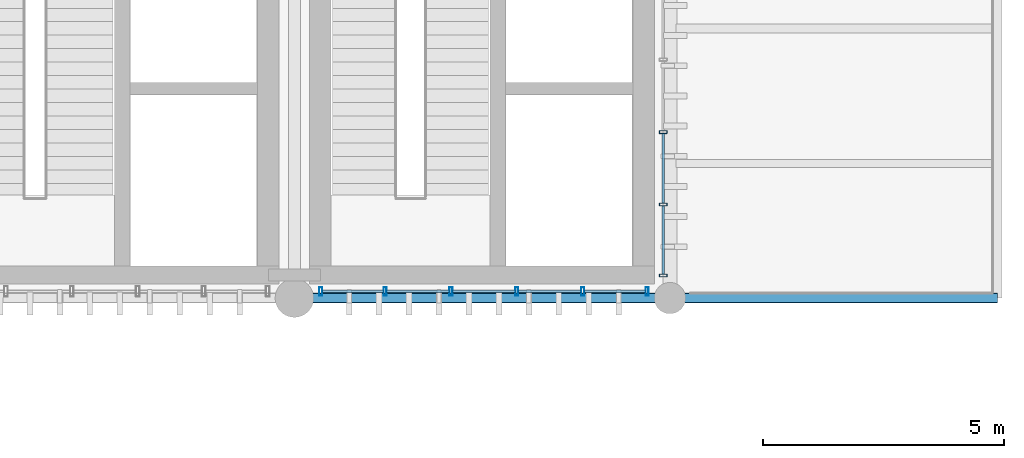
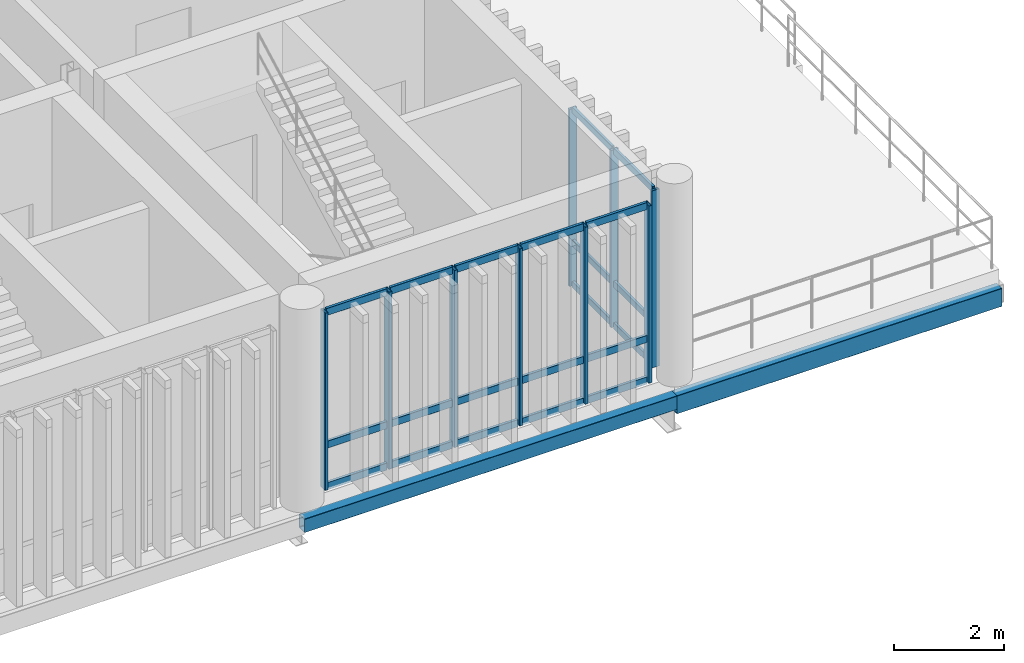
# One storey, part 7 of 19: 30 members, 2 beams, 2 elements without a shape of their own.
"""IFC4 building model written with IfcOpenShell, lengths in metres."""

from ifc_helpers import new_model, si_unit, direction, frame, origin_with_axes, origin_2d_with_axis, place, context, subcontext, project, spatial, hollow_rectangle, extrude, material, material_profile, profile_set, type_object, element, aggregate, save


model = new_model("IFC4")

# Units and contexts
model_context = context("Model", 3, precision=1e-05, world=origin_with_axes(), true_north=direction((0.0, 1.0)))
body_context = subcontext(model_context, "Body", "Model", "MODEL_VIEW")
ifc_project = project(units=[si_unit("LENGTHUNIT", "METRE"), si_unit("AREAUNIT", "SQUARE_METRE"), si_unit("VOLUMEUNIT", "CUBIC_METRE"), si_unit("PLANEANGLEUNIT", "RADIAN"), si_unit("MASSUNIT", "GRAM", prefix="KILO"), si_unit("THERMODYNAMICTEMPERATUREUNIT", "KELVIN")], contexts=[model_context])

# Site, building, storey
site_placement = place(None, origin_with_axes())
site = spatial("IfcSite", under=ifc_project, at=site_placement, CompositionType="ELEMENT")
building_placement = place(site_placement, origin_with_axes())
building = spatial("IfcBuilding", under=site, at=building_placement, Name="Montbau Bow Law Courts", CompositionType="ELEMENT")
storey_placement = place(building_placement, frame((0.0, 0.0, 43.5), z_axis=(0.0, 0.0, 1.0), x_axis=(1.0, 0.0, 0.0)))
storey = spatial("IfcBuildingStorey", under=building, at=storey_placement, Name="L09", CompositionType="ELEMENT", Elevation=43.5)

# Beams
ifc_material_1 = material(Name="Steel CSA G40.21 Grade 350WT (350 MPa)", Category="steel")
ifc_material_profile_1 = material_profile(ifc_material_1, hollow_rectangle(XDim=0.203, YDim=0.406, WallThickness=0.0127, InnerFilletRadius=0.0254, OuterFilletRadius=0.0127, at=origin_2d_with_axis()), Name="HSS406X203X13", Category="Main", Priority=0)
ifc_profile_set_1 = profile_set([ifc_material_profile_1], Name="Steel CSA G40.21 Grade 350WT (350 MPa)")
beam_type_1 = type_object("IfcBeamType", Name="B-SPN-01", PredefinedType="SPANDREL", material=ifc_profile_set_1)
beam_1_placement = place(None, frame((162.6, 86.4, 42.937), z_axis=(1.0, 0.0, 0.0), x_axis=(0.0, 1.0, 0.0)))
element("IfcBeam", 1, at=beam_1_placement, inside=storey, type_object=beam_type_1, Name="SPN-L09-S1387:bm2_1390", PredefinedType="SPANDREL", context=body_context, shape_type="SweptSolid", body=[
    extrude(hollow_rectangle(XDim=0.203, YDim=0.406, WallThickness=0.0127, InnerFilletRadius=0.0254, OuterFilletRadius=0.0127, at=origin_2d_with_axis()), origin_with_axes(), (0.0, 0.0, 1.0), 6.8),
])
ifc_material_profile_2 = material_profile(ifc_material_1, hollow_rectangle(XDim=0.203, YDim=0.305, WallThickness=0.0127, InnerFilletRadius=0.0254, OuterFilletRadius=0.0127, at=origin_2d_with_axis()), Name="HSS305X203X13", Category="Main", Priority=0)
ifc_profile_set_2 = profile_set([ifc_material_profile_2], Name="Steel CSA G40.21 Grade 350WT (350 MPa)")
beam_type_2 = type_object("IfcBeamType", Name="B-SPN-02", PredefinedType="SPANDREL", material=ifc_profile_set_2)
beam_2_placement = place(None, frame((154.8, 86.4, 42.987), z_axis=(1.0, 0.0, 0.0), x_axis=(0.0, 1.0, 0.0)))
element("IfcBeam", 2, at=beam_2_placement, inside=storey, type_object=beam_type_2, Name="SPN-L09-S1386:bm2_1389", PredefinedType="SPANDREL", context=body_context, shape_type="SweptSolid", body=[
    extrude(hollow_rectangle(XDim=0.203, YDim=0.305, WallThickness=0.0127, InnerFilletRadius=0.0254, OuterFilletRadius=0.0127, at=origin_2d_with_axis()), origin_with_axes(), (0.0, 0.0, 1.0), 7.8),
])

# Curtain wall, members
ifc_material_2 = material(Name="Thermally Broken Extruded Aluminium AA 6063-T6", Category="aluminium")
curtain_wall_type = type_object("IfcCurtainWallType", Name="CW-CRM-03", PredefinedType="NOTDEFINED", material=ifc_material_2)
curtain_wall_1_placement = place(None, frame((155.315, 86.54, 43.5), z_axis=(0.0, 0.0, 1.0), x_axis=(1.0, 0.0, 0.0)))
curtain_wall_1 = element("IfcCurtainWall", 3, at=curtain_wall_1_placement, inside=storey, type_object=curtain_wall_type, Name="CW-L09-388:cw_0388", PredefinedType="NOTDEFINED")
ifc_material_profile_3 = material_profile(ifc_material_2, hollow_rectangle(XDim=0.065, YDim=0.18, WallThickness=0.005, InnerFilletRadius=0.01, OuterFilletRadius=0.005, at=origin_2d_with_axis()), Name="CWM-180X65", Category="Main", Priority=0)
ifc_profile_set_3 = profile_set([ifc_material_profile_3], Name="Thermally Broken Extruded Aluminium AA 6063-T6")
member_type_1 = type_object("IfcMemberType", Name="M-MUL-02", PredefinedType="MULLION", material=ifc_profile_set_3)
member_1_placement = place(None, frame((155.348, 86.54, 43.5), z_axis=(0.0, 0.0, 1.0), x_axis=(1.0, 0.0, 0.0)))
member_1 = element("IfcMember", 4, at=member_1_placement, type_object=member_type_1, Name="CW-L09-388-M01:cw_0388_M01", PredefinedType="MULLION", context=body_context, shape_type="SweptSolid", body=[
    extrude(hollow_rectangle(XDim=0.065, YDim=0.18, WallThickness=0.005, InnerFilletRadius=0.01, OuterFilletRadius=0.005, at=origin_2d_with_axis()), origin_with_axes(), (0.0, 0.0, 1.0), 3.92),
])
member_2_placement = place(None, frame((156.684, 86.54, 43.5), z_axis=(0.0, 0.0, 1.0), x_axis=(1.0, 0.0, 0.0)))
member_2 = element("IfcMember", 5, at=member_2_placement, type_object=member_type_1, Name="CW-L09-388-M02:cw_0388_M02", PredefinedType="MULLION", context=body_context, shape_type="SweptSolid", body=[
    extrude(hollow_rectangle(XDim=0.065, YDim=0.18, WallThickness=0.005, InnerFilletRadius=0.01, OuterFilletRadius=0.005, at=origin_2d_with_axis()), origin_with_axes(), (0.0, 0.0, 1.0), 3.92),
])
member_3_placement = place(None, frame((158.053, 86.54, 43.5), z_axis=(0.0, 0.0, 1.0), x_axis=(1.0, 0.0, 0.0)))
member_3 = element("IfcMember", 6, at=member_3_placement, type_object=member_type_1, Name="CW-L09-388-M03:cw_0388_M03", PredefinedType="MULLION", context=body_context, shape_type="SweptSolid", body=[
    extrude(hollow_rectangle(XDim=0.065, YDim=0.18, WallThickness=0.005, InnerFilletRadius=0.01, OuterFilletRadius=0.005, at=origin_2d_with_axis()), origin_with_axes(), (0.0, 0.0, 1.0), 3.92),
])
member_4_placement = place(None, frame((159.422, 86.54, 43.5), z_axis=(0.0, 0.0, 1.0), x_axis=(1.0, 0.0, 0.0)))
member_4 = element("IfcMember", 7, at=member_4_placement, type_object=member_type_1, Name="CW-L09-388-M04:cw_0388_M04", PredefinedType="MULLION", context=body_context, shape_type="SweptSolid", body=[
    extrude(hollow_rectangle(XDim=0.065, YDim=0.18, WallThickness=0.005, InnerFilletRadius=0.01, OuterFilletRadius=0.005, at=origin_2d_with_axis()), origin_with_axes(), (0.0, 0.0, 1.0), 3.92),
])
member_5_placement = place(None, frame((160.791, 86.54, 43.5), z_axis=(0.0, 0.0, 1.0), x_axis=(1.0, 0.0, 0.0)))
member_5 = element("IfcMember", 8, at=member_5_placement, type_object=member_type_1, Name="CW-L09-388-M05:cw_0388_M05", PredefinedType="MULLION", context=body_context, shape_type="SweptSolid", body=[
    extrude(hollow_rectangle(XDim=0.065, YDim=0.18, WallThickness=0.005, InnerFilletRadius=0.01, OuterFilletRadius=0.005, at=origin_2d_with_axis()), origin_with_axes(), (0.0, 0.0, 1.0), 3.92),
])
member_6_placement = place(None, frame((162.127, 86.54, 43.5), z_axis=(0.0, 0.0, 1.0), x_axis=(1.0, 0.0, 0.0)))
member_6 = element("IfcMember", 9, at=member_6_placement, type_object=member_type_1, Name="CW-L09-388-M06:cw_0388_M06", PredefinedType="MULLION", context=body_context, shape_type="SweptSolid", body=[
    extrude(hollow_rectangle(XDim=0.065, YDim=0.18, WallThickness=0.005, InnerFilletRadius=0.01, OuterFilletRadius=0.005, at=origin_2d_with_axis()), origin_with_axes(), (0.0, 0.0, 1.0), 3.92),
])

curtain_wall_2_placement = place(None, frame((162.46, 86.84, 43.5), z_axis=(0.0, 0.0, 1.0), x_axis=(1.0, 0.0, 0.0)))
curtain_wall_2 = element("IfcCurtainWall", 10, at=curtain_wall_2_placement, inside=storey, type_object=curtain_wall_type, Name="CW-L09-395:cw_0395", PredefinedType="NOTDEFINED")
ifc_material_profile_4 = material_profile(ifc_material_2, hollow_rectangle(XDim=0.06, YDim=0.16, WallThickness=0.004, InnerFilletRadius=0.008, OuterFilletRadius=0.004, at=origin_2d_with_axis()), Name="CWM-160X60", Category="Main", Priority=0)
ifc_profile_set_4 = profile_set([ifc_material_profile_4], Name="Thermally Broken Extruded Aluminium AA 6063-T6")
member_type_2 = type_object("IfcMemberType", Name="M-MUL-03", PredefinedType="MULLION", material=ifc_profile_set_4)
member_7_placement = place(None, frame((162.46, 86.87, 43.5), z_axis=(0.0, 0.0, 1.0), x_axis=(0.0, 1.0, 0.0)))
member_7 = element("IfcMember", 11, at=member_7_placement, type_object=member_type_2, Name="CW-L09-395-M01:cw_0395_M01", PredefinedType="MULLION", context=body_context, shape_type="SweptSolid", body=[
    extrude(hollow_rectangle(XDim=0.06, YDim=0.16, WallThickness=0.004, InnerFilletRadius=0.008, OuterFilletRadius=0.004, at=origin_2d_with_axis()), origin_with_axes(), (0.0, 0.0, 1.0), 3.92),
])
member_8_placement = place(None, frame((162.46, 88.344, 43.5), z_axis=(0.0, 0.0, 1.0), x_axis=(0.0, 1.0, 0.0)))
member_8 = element("IfcMember", 12, at=member_8_placement, type_object=member_type_2, Name="CW-L09-395-M02:cw_0395_M02", PredefinedType="MULLION", context=body_context, shape_type="SweptSolid", body=[
    extrude(hollow_rectangle(XDim=0.06, YDim=0.16, WallThickness=0.004, InnerFilletRadius=0.008, OuterFilletRadius=0.004, at=origin_2d_with_axis()), origin_with_axes(), (0.0, 0.0, 1.0), 3.92),
])
member_9_placement = place(None, frame((162.46, 89.848, 43.5), z_axis=(0.0, 0.0, 1.0), x_axis=(0.0, 1.0, 0.0)))
member_9 = element("IfcMember", 13, at=member_9_placement, type_object=member_type_2, Name="CW-L09-395-M03:cw_0395_M03", PredefinedType="MULLION", context=body_context, shape_type="SweptSolid", body=[
    extrude(hollow_rectangle(XDim=0.06, YDim=0.16, WallThickness=0.004, InnerFilletRadius=0.008, OuterFilletRadius=0.004, at=origin_2d_with_axis()), origin_with_axes(), (0.0, 0.0, 1.0), 3.92),
])

# Member
ifc_material_profile_5 = material_profile(ifc_material_2, hollow_rectangle(XDim=0.06, YDim=0.16, WallThickness=0.004, InnerFilletRadius=0.008, OuterFilletRadius=0.004, at=origin_2d_with_axis()), Name="CWT-160X60", Category="Main", Priority=0)
ifc_profile_set_5 = profile_set([ifc_material_profile_5], Name="Thermally Broken Extruded Aluminium AA 6063-T6")
member_type_3 = type_object("IfcMemberType", Name="M-TRN-01", PredefinedType="USERDEFINED", material=ifc_profile_set_5)
member_10_placement = place(None, frame((155.383, 86.54, 43.53), z_axis=(1.0, 0.0, 0.0), x_axis=(0.0, 1.0, 0.0)))
member_10 = element("IfcMember", 14, at=member_10_placement, type_object=member_type_3, Name="CW-L09-388-T01-1:cw_0388_T01_1", ObjectType="TRANSOM", PredefinedType="USERDEFINED", context=body_context, shape_type="SweptSolid", body=[
    extrude(hollow_rectangle(XDim=0.06, YDim=0.16, WallThickness=0.004, InnerFilletRadius=0.008, OuterFilletRadius=0.004, at=origin_2d_with_axis()), origin_with_axes(), (0.0, 0.0, 1.0), 1.267),
])

member_11_placement = place(None, frame((155.383, 86.54, 44.45), z_axis=(1.0, 0.0, 0.0), x_axis=(0.0, 1.0, 0.0)))
member_11 = element("IfcMember", 15, at=member_11_placement, type_object=member_type_3, Name="CW-L09-388-T01-2:cw_0388_T01_2", ObjectType="TRANSOM", PredefinedType="USERDEFINED", context=body_context, shape_type="SweptSolid", body=[
    extrude(hollow_rectangle(XDim=0.06, YDim=0.16, WallThickness=0.004, InnerFilletRadius=0.008, OuterFilletRadius=0.004, at=origin_2d_with_axis()), origin_with_axes(), (0.0, 0.0, 1.0), 1.267),
])

member_12_placement = place(None, frame((155.383, 86.54, 47.39), z_axis=(1.0, 0.0, 0.0), x_axis=(0.0, 1.0, 0.0)))
member_12 = element("IfcMember", 16, at=member_12_placement, type_object=member_type_3, Name="CW-L09-388-T01-3:cw_0388_T01_3", ObjectType="TRANSOM", PredefinedType="USERDEFINED", context=body_context, shape_type="SweptSolid", body=[
    extrude(hollow_rectangle(XDim=0.06, YDim=0.16, WallThickness=0.004, InnerFilletRadius=0.008, OuterFilletRadius=0.004, at=origin_2d_with_axis()), origin_with_axes(), (0.0, 0.0, 1.0), 1.267),
])

member_13_placement = place(None, frame((156.718, 86.54, 43.53), z_axis=(1.0, 0.0, 0.0), x_axis=(0.0, 1.0, 0.0)))
member_13 = element("IfcMember", 17, at=member_13_placement, type_object=member_type_3, Name="CW-L09-388-T02-1:cw_0388_T02_1", ObjectType="TRANSOM", PredefinedType="USERDEFINED", context=body_context, shape_type="SweptSolid", body=[
    extrude(hollow_rectangle(XDim=0.06, YDim=0.16, WallThickness=0.004, InnerFilletRadius=0.008, OuterFilletRadius=0.004, at=origin_2d_with_axis()), origin_with_axes(), (0.0, 0.0, 1.0), 1.301),
])

member_14_placement = place(None, frame((156.718, 86.54, 44.45), z_axis=(1.0, 0.0, 0.0), x_axis=(0.0, 1.0, 0.0)))
member_14 = element("IfcMember", 18, at=member_14_placement, type_object=member_type_3, Name="CW-L09-388-T02-2:cw_0388_T02_2", ObjectType="TRANSOM", PredefinedType="USERDEFINED", context=body_context, shape_type="SweptSolid", body=[
    extrude(hollow_rectangle(XDim=0.06, YDim=0.16, WallThickness=0.004, InnerFilletRadius=0.008, OuterFilletRadius=0.004, at=origin_2d_with_axis()), origin_with_axes(), (0.0, 0.0, 1.0), 1.301),
])

member_15_placement = place(None, frame((156.718, 86.54, 47.39), z_axis=(1.0, 0.0, 0.0), x_axis=(0.0, 1.0, 0.0)))
member_15 = element("IfcMember", 19, at=member_15_placement, type_object=member_type_3, Name="CW-L09-388-T02-3:cw_0388_T02_3", ObjectType="TRANSOM", PredefinedType="USERDEFINED", context=body_context, shape_type="SweptSolid", body=[
    extrude(hollow_rectangle(XDim=0.06, YDim=0.16, WallThickness=0.004, InnerFilletRadius=0.008, OuterFilletRadius=0.004, at=origin_2d_with_axis()), origin_with_axes(), (0.0, 0.0, 1.0), 1.301),
])

member_16_placement = place(None, frame((158.087, 86.54, 43.53), z_axis=(1.0, 0.0, 0.0), x_axis=(0.0, 1.0, 0.0)))
member_16 = element("IfcMember", 20, at=member_16_placement, type_object=member_type_3, Name="CW-L09-388-T03-1:cw_0388_T03_1", ObjectType="TRANSOM", PredefinedType="USERDEFINED", context=body_context, shape_type="SweptSolid", body=[
    extrude(hollow_rectangle(XDim=0.06, YDim=0.16, WallThickness=0.004, InnerFilletRadius=0.008, OuterFilletRadius=0.004, at=origin_2d_with_axis()), origin_with_axes(), (0.0, 0.0, 1.0), 1.301),
])

member_17_placement = place(None, frame((158.087, 86.54, 44.45), z_axis=(1.0, 0.0, 0.0), x_axis=(0.0, 1.0, 0.0)))
member_17 = element("IfcMember", 21, at=member_17_placement, type_object=member_type_3, Name="CW-L09-388-T03-2:cw_0388_T03_2", ObjectType="TRANSOM", PredefinedType="USERDEFINED", context=body_context, shape_type="SweptSolid", body=[
    extrude(hollow_rectangle(XDim=0.06, YDim=0.16, WallThickness=0.004, InnerFilletRadius=0.008, OuterFilletRadius=0.004, at=origin_2d_with_axis()), origin_with_axes(), (0.0, 0.0, 1.0), 1.301),
])

member_18_placement = place(None, frame((158.087, 86.54, 47.39), z_axis=(1.0, 0.0, 0.0), x_axis=(0.0, 1.0, 0.0)))
member_18 = element("IfcMember", 22, at=member_18_placement, type_object=member_type_3, Name="CW-L09-388-T03-3:cw_0388_T03_3", ObjectType="TRANSOM", PredefinedType="USERDEFINED", context=body_context, shape_type="SweptSolid", body=[
    extrude(hollow_rectangle(XDim=0.06, YDim=0.16, WallThickness=0.004, InnerFilletRadius=0.008, OuterFilletRadius=0.004, at=origin_2d_with_axis()), origin_with_axes(), (0.0, 0.0, 1.0), 1.301),
])

member_19_placement = place(None, frame((159.456, 86.54, 43.53), z_axis=(1.0, 0.0, 0.0), x_axis=(0.0, 1.0, 0.0)))
member_19 = element("IfcMember", 23, at=member_19_placement, type_object=member_type_3, Name="CW-L09-388-T04-1:cw_0388_T04_1", ObjectType="TRANSOM", PredefinedType="USERDEFINED", context=body_context, shape_type="SweptSolid", body=[
    extrude(hollow_rectangle(XDim=0.06, YDim=0.16, WallThickness=0.004, InnerFilletRadius=0.008, OuterFilletRadius=0.004, at=origin_2d_with_axis()), origin_with_axes(), (0.0, 0.0, 1.0), 1.301),
])

member_20_placement = place(None, frame((159.456, 86.54, 44.45), z_axis=(1.0, 0.0, 0.0), x_axis=(0.0, 1.0, 0.0)))
member_20 = element("IfcMember", 24, at=member_20_placement, type_object=member_type_3, Name="CW-L09-388-T04-2:cw_0388_T04_2", ObjectType="TRANSOM", PredefinedType="USERDEFINED", context=body_context, shape_type="SweptSolid", body=[
    extrude(hollow_rectangle(XDim=0.06, YDim=0.16, WallThickness=0.004, InnerFilletRadius=0.008, OuterFilletRadius=0.004, at=origin_2d_with_axis()), origin_with_axes(), (0.0, 0.0, 1.0), 1.301),
])

member_21_placement = place(None, frame((159.456, 86.54, 47.39), z_axis=(1.0, 0.0, 0.0), x_axis=(0.0, 1.0, 0.0)))
member_21 = element("IfcMember", 25, at=member_21_placement, type_object=member_type_3, Name="CW-L09-388-T04-3:cw_0388_T04_3", ObjectType="TRANSOM", PredefinedType="USERDEFINED", context=body_context, shape_type="SweptSolid", body=[
    extrude(hollow_rectangle(XDim=0.06, YDim=0.16, WallThickness=0.004, InnerFilletRadius=0.008, OuterFilletRadius=0.004, at=origin_2d_with_axis()), origin_with_axes(), (0.0, 0.0, 1.0), 1.301),
])

member_22_placement = place(None, frame((160.825, 86.54, 43.53), z_axis=(1.0, 0.0, 0.0), x_axis=(0.0, 1.0, 0.0)))
member_22 = element("IfcMember", 26, at=member_22_placement, type_object=member_type_3, Name="CW-L09-388-T05-1:cw_0388_T05_1", ObjectType="TRANSOM", PredefinedType="USERDEFINED", context=body_context, shape_type="SweptSolid", body=[
    extrude(hollow_rectangle(XDim=0.06, YDim=0.16, WallThickness=0.004, InnerFilletRadius=0.008, OuterFilletRadius=0.004, at=origin_2d_with_axis()), origin_with_axes(), (0.0, 0.0, 1.0), 1.268),
])

member_23_placement = place(None, frame((160.825, 86.54, 44.45), z_axis=(1.0, 0.0, 0.0), x_axis=(0.0, 1.0, 0.0)))
member_23 = element("IfcMember", 27, at=member_23_placement, type_object=member_type_3, Name="CW-L09-388-T05-2:cw_0388_T05_2", ObjectType="TRANSOM", PredefinedType="USERDEFINED", context=body_context, shape_type="SweptSolid", body=[
    extrude(hollow_rectangle(XDim=0.06, YDim=0.16, WallThickness=0.004, InnerFilletRadius=0.008, OuterFilletRadius=0.004, at=origin_2d_with_axis()), origin_with_axes(), (0.0, 0.0, 1.0), 1.268),
])

member_24_placement = place(None, frame((160.825, 86.54, 47.39), z_axis=(1.0, 0.0, 0.0), x_axis=(0.0, 1.0, 0.0)))
member_24 = element("IfcMember", 28, at=member_24_placement, type_object=member_type_3, Name="CW-L09-388-T05-3:cw_0388_T05_3", ObjectType="TRANSOM", PredefinedType="USERDEFINED", context=body_context, shape_type="SweptSolid", body=[
    extrude(hollow_rectangle(XDim=0.06, YDim=0.16, WallThickness=0.004, InnerFilletRadius=0.008, OuterFilletRadius=0.004, at=origin_2d_with_axis()), origin_with_axes(), (0.0, 0.0, 1.0), 1.268),
])

aggregate(curtain_wall_1, [member_1, member_2, member_3, member_4, member_5, member_6, member_10, member_11, member_12, member_13, member_14, member_15, member_16, member_17, member_18, member_19, member_20, member_21, member_22, member_23, member_24])

ifc_material_profile_6 = material_profile(ifc_material_2, hollow_rectangle(XDim=0.055, YDim=0.14, WallThickness=0.004, InnerFilletRadius=0.008, OuterFilletRadius=0.004, at=origin_2d_with_axis()), Name="CWT-140X55", Category="Main", Priority=0)
ifc_profile_set_6 = profile_set([ifc_material_profile_6], Name="Thermally Broken Extruded Aluminium AA 6063-T6")
member_type_4 = type_object("IfcMemberType", Name="M-TRN-02", PredefinedType="USERDEFINED", material=ifc_profile_set_6)
member_25_placement = place(None, frame((162.46, 86.902, 43.528), z_axis=(0.0, 1.0, 0.0), x_axis=(-1.0, 0.0, 0.0)))
member_25 = element("IfcMember", 29, at=member_25_placement, type_object=member_type_4, Name="CW-L09-395-T01-1:cw_0395_T01_1", ObjectType="TRANSOM", PredefinedType="USERDEFINED", context=body_context, shape_type="SweptSolid", body=[
    extrude(hollow_rectangle(XDim=0.055, YDim=0.14, WallThickness=0.004, InnerFilletRadius=0.008, OuterFilletRadius=0.004, at=origin_2d_with_axis()), origin_with_axes(), (0.0, 0.0, 1.0), 1.41),
])

member_26_placement = place(None, frame((162.46, 86.902, 44.45), z_axis=(0.0, 1.0, 0.0), x_axis=(-1.0, 0.0, 0.0)))
member_26 = element("IfcMember", 30, at=member_26_placement, type_object=member_type_4, Name="CW-L09-395-T01-2:cw_0395_T01_2", ObjectType="TRANSOM", PredefinedType="USERDEFINED", context=body_context, shape_type="SweptSolid", body=[
    extrude(hollow_rectangle(XDim=0.055, YDim=0.14, WallThickness=0.004, InnerFilletRadius=0.008, OuterFilletRadius=0.004, at=origin_2d_with_axis()), origin_with_axes(), (0.0, 0.0, 1.0), 1.41),
])

member_27_placement = place(None, frame((162.46, 86.902, 47.392), z_axis=(0.0, 1.0, 0.0), x_axis=(-1.0, 0.0, 0.0)))
member_27 = element("IfcMember", 31, at=member_27_placement, type_object=member_type_4, Name="CW-L09-395-T01-3:cw_0395_T01_3", ObjectType="TRANSOM", PredefinedType="USERDEFINED", context=body_context, shape_type="SweptSolid", body=[
    extrude(hollow_rectangle(XDim=0.055, YDim=0.14, WallThickness=0.004, InnerFilletRadius=0.008, OuterFilletRadius=0.004, at=origin_2d_with_axis()), origin_with_axes(), (0.0, 0.0, 1.0), 1.41),
])

member_28_placement = place(None, frame((162.46, 88.376, 43.528), z_axis=(0.0, 1.0, 0.0), x_axis=(-1.0, 0.0, 0.0)))
member_28 = element("IfcMember", 32, at=member_28_placement, type_object=member_type_4, Name="CW-L09-395-T02-1:cw_0395_T02_1", ObjectType="TRANSOM", PredefinedType="USERDEFINED", context=body_context, shape_type="SweptSolid", body=[
    extrude(hollow_rectangle(XDim=0.055, YDim=0.14, WallThickness=0.004, InnerFilletRadius=0.008, OuterFilletRadius=0.004, at=origin_2d_with_axis()), origin_with_axes(), (0.0, 0.0, 1.0), 1.44),
])

member_29_placement = place(None, frame((162.46, 88.376, 44.45), z_axis=(0.0, 1.0, 0.0), x_axis=(-1.0, 0.0, 0.0)))
member_29 = element("IfcMember", 33, at=member_29_placement, type_object=member_type_4, Name="CW-L09-395-T02-2:cw_0395_T02_2", ObjectType="TRANSOM", PredefinedType="USERDEFINED", context=body_context, shape_type="SweptSolid", body=[
    extrude(hollow_rectangle(XDim=0.055, YDim=0.14, WallThickness=0.004, InnerFilletRadius=0.008, OuterFilletRadius=0.004, at=origin_2d_with_axis()), origin_with_axes(), (0.0, 0.0, 1.0), 1.44),
])

member_30_placement = place(None, frame((162.46, 88.376, 47.392), z_axis=(0.0, 1.0, 0.0), x_axis=(-1.0, 0.0, 0.0)))
member_30 = element("IfcMember", 34, at=member_30_placement, type_object=member_type_4, Name="CW-L09-395-T02-3:cw_0395_T02_3", ObjectType="TRANSOM", PredefinedType="USERDEFINED", context=body_context, shape_type="SweptSolid", body=[
    extrude(hollow_rectangle(XDim=0.055, YDim=0.14, WallThickness=0.004, InnerFilletRadius=0.008, OuterFilletRadius=0.004, at=origin_2d_with_axis()), origin_with_axes(), (0.0, 0.0, 1.0), 1.44),
])

aggregate(curtain_wall_2, [member_7, member_8, member_9, member_25, member_26, member_27, member_28, member_29, member_30])

save(model, "model.ifc")
